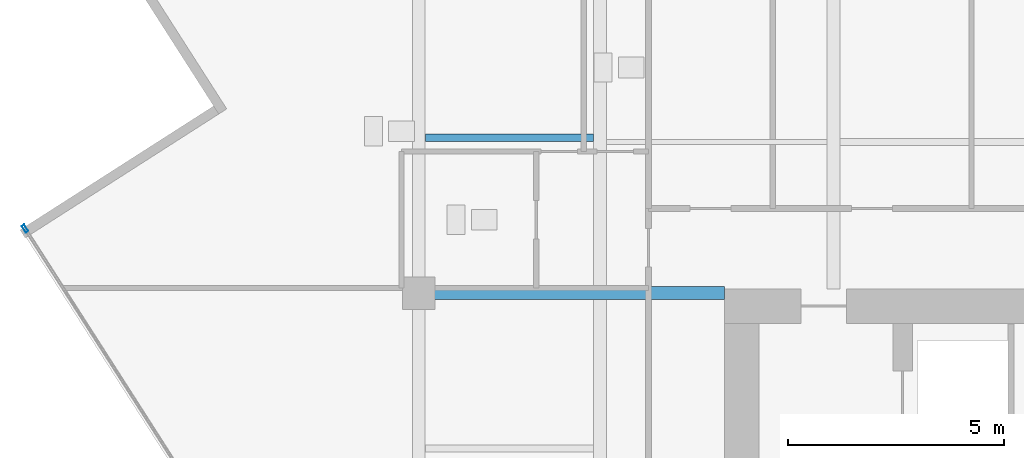
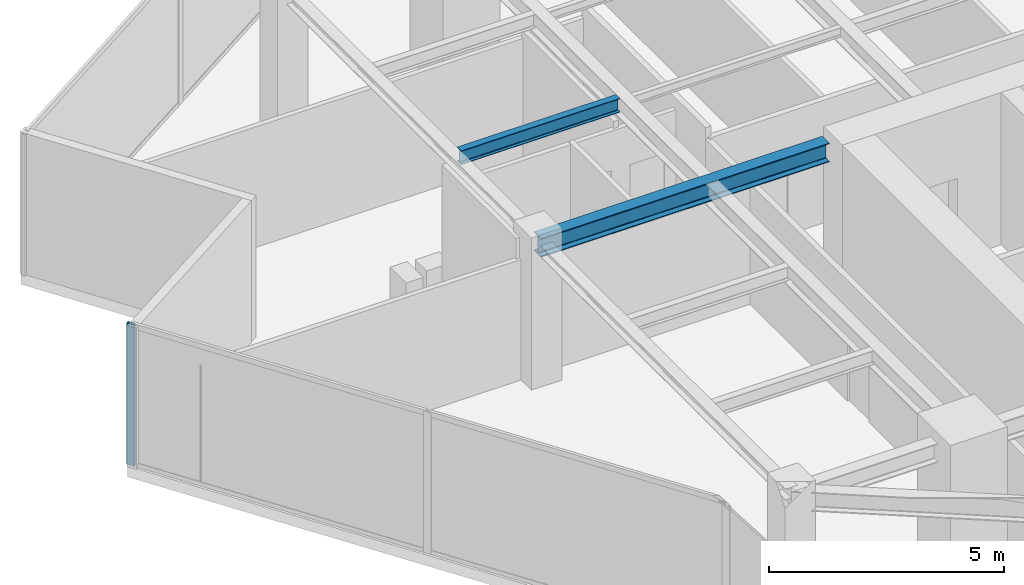
# One storey, part 6 of 20: 2 beams, 1 member, 1 element without a shape of its own.
"""IFC4 building model written with IfcOpenShell, lengths in metres."""

from ifc_helpers import new_model, si_unit, direction, frame, origin, origin_2d, place, context, subcontext, project, spatial, hollow_rectangle, i_section, extrude, source, transform, mapped, material, material_profile, profile_set, type_object, type_shapes, element, aggregate, save


model = new_model("IFC4")

# Units and contexts
model_context = context("Model", 3, precision=1e-05, world=origin(), true_north=direction((0.0, 1.0)))
body_context = subcontext(model_context, "Body", "Model", "MODEL_VIEW")
ifc_project = project(units=[si_unit("LENGTHUNIT", "METRE"), si_unit("AREAUNIT", "SQUARE_METRE"), si_unit("VOLUMEUNIT", "CUBIC_METRE"), si_unit("PLANEANGLEUNIT", "RADIAN"), si_unit("MASSUNIT", "GRAM", prefix="KILO")], contexts=[model_context])

# Site, building, storey
site_placement = place(None, origin())
site = spatial("IfcSite", under=ifc_project, at=site_placement, CompositionType="ELEMENT")
building_placement = place(site_placement, origin())
building = spatial("IfcBuilding", under=site, at=building_placement, Name="Krantzveldt Concourse Tower", CompositionType="ELEMENT")
storey_placement = place(building_placement, frame((0.0, 0.0, 287.14990234375)))
storey = spatial("IfcBuildingStorey", under=building, at=storey_placement, Name="L70", CompositionType="ELEMENT", Elevation=287.14990234375)

# Beams
ifc_material_1 = material(Name="Steel S355JR", Category="steel")
ifc_material_profile_1 = material_profile(ifc_material_1, i_section(OverallWidth=0.300048828125, OverallDepth=0.489990234375, WebThickness=0.011962890625, FlangeThickness=0.02294921875, FilletRadius=0.027099609375, at=origin_2d()), Name="Steel S355JR", Category="steel")
ifc_profile_set_1 = profile_set([ifc_material_profile_1], Name="Steel S355JR - HEA 500")
beam_type_1 = type_object("IfcBeamType", Name="BM-B-HEA500", PredefinedType="BEAM", material=ifc_profile_set_1)
shared_shape_1 = source(origin(), body_context, "Body", "SweptSolid", [
    extrude(i_section(OverallWidth=0.300048828125, OverallDepth=0.489990234375, WebThickness=0.011962890625, FlangeThickness=0.02294921875, FilletRadius=0.027099609375, at=origin_2d()), origin(), (0.0, 0.0, 1.0), 7.080078125),
])
type_shapes(beam_type_1, [shared_shape_1])
beam_1_placement = place(storey_placement, frame((21.0, 26.699951171875, 3.425048828125), z_axis=(1.0, 0.0, 0.0), x_axis=(0.0, 1.0, 0.0)))
element("IfcBeam", 1, at=beam_1_placement, inside=storey, type_object=beam_type_1, Name="L70 Tower Girder BG-CW2", PredefinedType="BEAM", context=body_context, shape_type="MappedRepresentation", body=[
    mapped(shared_shape_1, transform((0.0, 0.0, 0.0), x_axis=(1.0, 0.0, 0.0), y_axis=(0.0, 1.0, 0.0), z_axis=(0.0, 0.0, 1.0), scale=1.0)),
])
ifc_material_profile_2 = material_profile(ifc_material_1, i_section(OverallWidth=0.169921875, OverallDepth=0.360107421875, WebThickness=0.008056640625, FlangeThickness=0.0126953125, FilletRadius=0.01806640625, at=origin_2d()), Name="Steel S355JR", Category="steel")
ifc_profile_set_2 = profile_set([ifc_material_profile_2], Name="Steel S355JR - IPE 360")
beam_type_2 = type_object("IfcBeamType", Name="BM-J-IPE360", PredefinedType="JOIST", material=ifc_profile_set_2)
shared_shape_2 = source(origin(), body_context, "Body", "SweptSolid", [
    extrude(i_section(OverallWidth=0.169921875, OverallDepth=0.360107421875, WebThickness=0.008056640625, FlangeThickness=0.0126953125, FilletRadius=0.01806640625, at=origin_2d()), origin(), (0.0, 0.0, 1.0), 3.900146484375),
])
type_shapes(beam_type_2, [shared_shape_2])
beam_2_placement = place(storey_placement, frame((21.14990234375, 30.300048828125, 3.489990234375), z_axis=(1.0, 0.0, 0.0), x_axis=(0.0, 1.0, 0.0)))
element("IfcBeam", 2, at=beam_2_placement, inside=storey, type_object=beam_type_2, Name="L70 Secondary Floor Joist JW-3", PredefinedType="JOIST", context=body_context, shape_type="MappedRepresentation", body=[
    mapped(shared_shape_2, transform((0.0, 0.0, 0.0), x_axis=(1.0, 0.0, 0.0), y_axis=(0.0, 1.0, 0.0), z_axis=(0.0, 0.0, 1.0), scale=1.0)),
])

# Curtain wall, member
ifc_material_2 = material(Name="Anodised aluminium 6063-T6", Category="aluminium")
curtain_wall_type = type_object("IfcCurtainWallType", Name="CW4", PredefinedType="USERDEFINED", material=ifc_material_2)
curtain_wall_placement = place(storey_placement, origin())
curtain_wall = element("IfcCurtainWall", 3, at=curtain_wall_placement, inside=storey, type_object=curtain_wall_type, Name="CW-L70-F04", ObjectType="UNITISED CURTAIN WALL", PredefinedType="USERDEFINED")
ifc_material_profile_3 = material_profile(ifc_material_2, hollow_rectangle(XDim=0.070068359375, YDim=0.179931640625, WallThickness=0.0048828125, at=origin_2d()), Name="Anodised aluminium 6063-T6", Category="aluminium")
ifc_profile_set_3 = profile_set([ifc_material_profile_3], Name="Anodised aluminium 6063-T6 - ALU-MULL 180x70x5")
member_type = type_object("IfcMemberType", Name="CW-MUL-180", PredefinedType="MULLION", material=ifc_profile_set_3)
shared_shape_3 = source(origin(), body_context, "Body", "SweptSolid", [
    extrude(hollow_rectangle(XDim=0.070068359375, YDim=0.179931640625, WallThickness=0.0048828125, at=origin_2d()), origin(), (0.0, 0.0, 1.0), 3.670166015625),
])
type_shapes(member_type, [shared_shape_3])
member_placement = place(storey_placement, frame((11.87744140625, 28.195556640625, 0.0), z_axis=(0.0, 0.0, 1.0), x_axis=(0.842217243088, 0.53913830827, 0.0)))
member = element("IfcMember", 4, at=member_placement, type_object=member_type, Name="CW-Z56 mullion 1", PredefinedType="MULLION", context=body_context, shape_type="MappedRepresentation", body=[
    mapped(shared_shape_3, transform((0.0, 0.0, 0.0), x_axis=(1.0, 0.0, 0.0), y_axis=(0.0, 1.0, 0.0), z_axis=(0.0, 0.0, 1.0), scale=1.0)),
])
aggregate(curtain_wall, [member])

save(model, "model.ifc")
